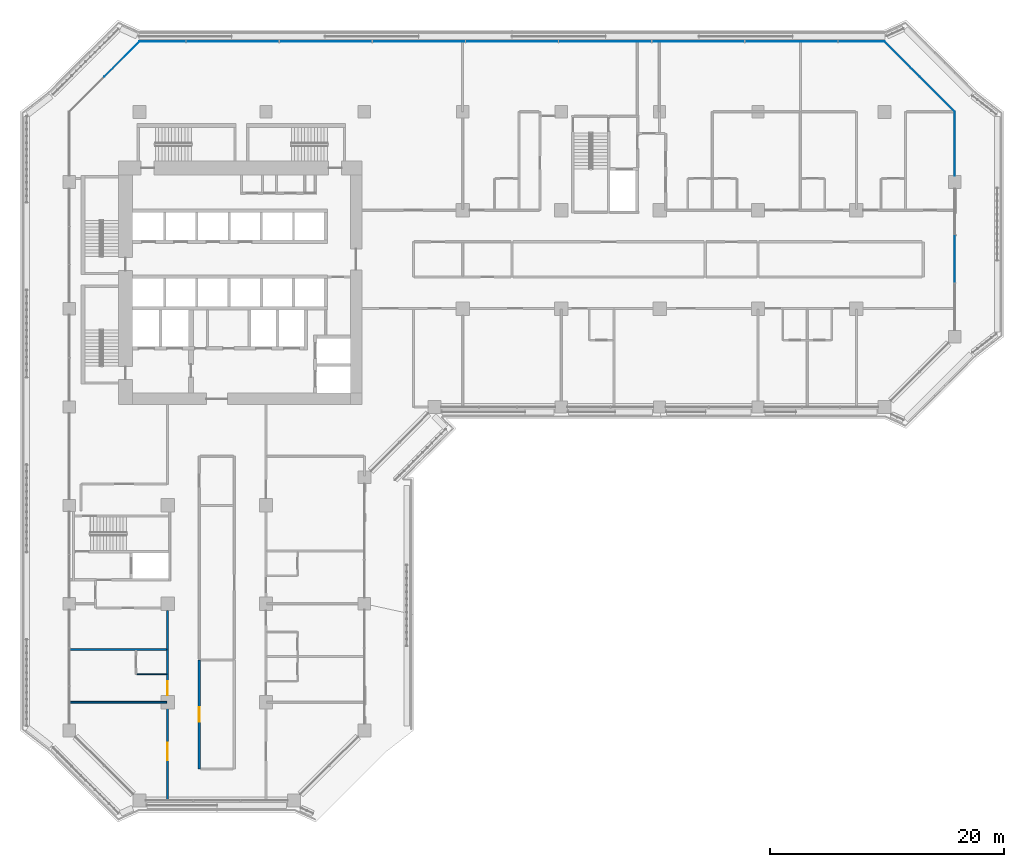
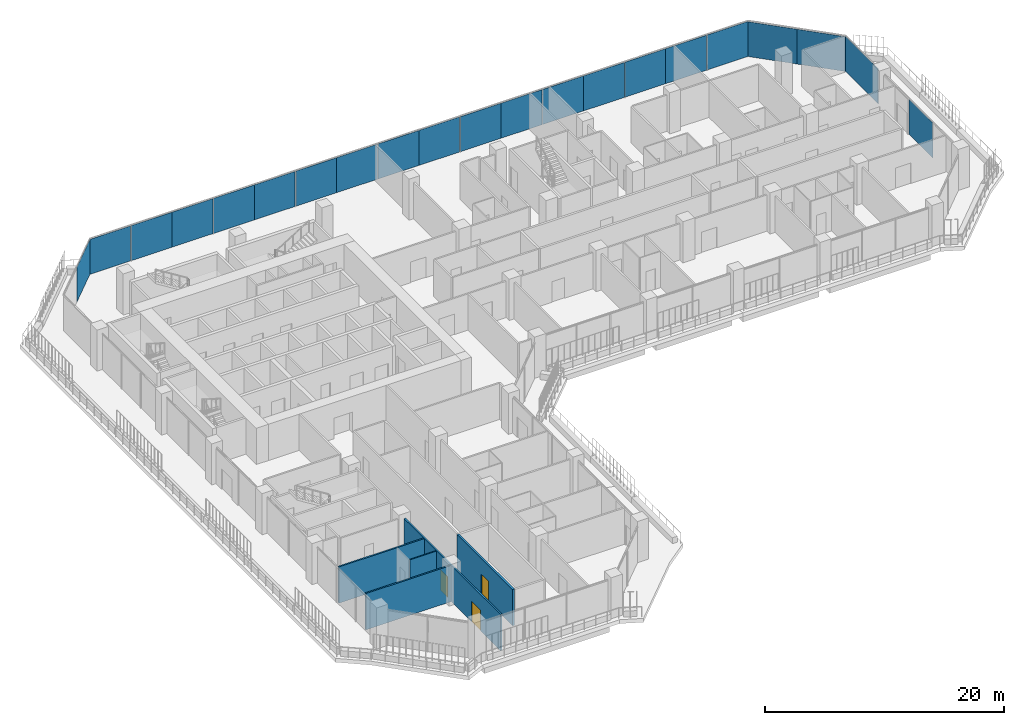
# One storey, part 10 of 23: 21 plates, 5 walls, 3 doors, 3 openings, 4 elements without a shape of their own.
"""IFC4 building model written with IfcOpenShell, lengths in metres."""

from ifc_helpers import new_model, si_unit, direction, frame, frame_2d, origin, origin_2d, place, context, subcontext, project, spatial, rectangle, extrude, material, layer, layer_set, type_object, element, fill, aggregate, save


model = new_model("IFC4")

# Units and contexts
model_context = context("Model", 3, precision=1e-05, world=origin(), true_north=direction((0.0, 1.0)))
body_context = subcontext(model_context, "Body", "Model", "MODEL_VIEW")
ifc_project = project(units=[si_unit("LENGTHUNIT", "METRE"), si_unit("AREAUNIT", "SQUARE_METRE"), si_unit("VOLUMEUNIT", "CUBIC_METRE"), si_unit("PLANEANGLEUNIT", "RADIAN"), si_unit("MASSUNIT", "GRAM", prefix="KILO")], contexts=[model_context])

# Site, building, storey
site_placement = place(None, origin())
site = spatial("IfcSite", under=ifc_project, at=site_placement, CompositionType="ELEMENT")
building_placement = place(site_placement, origin())
building = spatial("IfcBuilding", under=site, at=building_placement, Name="Kawkab Arch Medical Tower", CompositionType="ELEMENT")
storey_placement = place(building_placement, frame((0.0, 0.0, 149.199951171875)))
storey = spatial("IfcBuildingStorey", under=building, at=storey_placement, Name="L34", CompositionType="ELEMENT", Elevation=149.199951171875)

# Curtain wall, plates
ifc_material_1 = material(Name="Bronze anodised aluminium curtain wall frame", Category="aluminium")
ifc_layer_1 = layer(ifc_material_1, 0.159912109375)
ifc_layer_set_1 = layer_set([ifc_layer_1], Name="Bronze anodised aluminium curtain wall frame")
curtain_wall_type_1 = type_object("IfcCurtainWallType", Name="CW1 ward curtain wall", PredefinedType="NOTDEFINED", material=ifc_layer_set_1)
placement = place(storey_placement, origin())
curtain_wall_1 = element("IfcCurtainWall", 1, at=placement, inside=storey, type_object=curtain_wall_type_1, Name="CW1 Ward curtain wall R09", PredefinedType="NOTDEFINED")
ifc_material_2 = material(Name="Tinted insulating glass, bronze low-e coating", Category="glass")
ifc_layer_2 = layer(ifc_material_2, 0.031982421875)
ifc_layer_set_2 = layer_set([ifc_layer_2], Name="Tinted insulating glass, bronze low-e coating")
plate_type_1 = type_object("IfcPlateType", Name="CW1 glazing unit 32", PredefinedType="CURTAIN_PANEL", material=ifc_layer_set_2)
plate_1_placement = place(storey_placement, frame((75.60009765625, -12.5849609375, 0.0), z_axis=(0.0, 0.0, 1.0), x_axis=(0.0, 1.0, 0.0)))
plate_1 = element("IfcPlate", 2, at=plate_1_placement, type_object=plate_type_1, Name="CW1 glazing unit 1.2", PredefinedType="CURTAIN_PANEL", context=body_context, shape_type="SweptSolid", body=[
    extrude(rectangle(XDim=4.00341796875, YDim=0.031982421875, at=origin_2d()), origin(), (0.0, 0.0, 1.0), 3.580078125),
])
plate_2_placement = place(storey_placement, frame((75.60009765625, -2.72509765625, 0.0), z_axis=(0.0, 0.0, 1.0), x_axis=(0.0, 1.0, 0.0)))
plate_2 = element("IfcPlate", 3, at=plate_2_placement, type_object=plate_type_1, Name="CW1 glazing unit 2.1", PredefinedType="CURTAIN_PANEL", context=body_context, shape_type="SweptSolid", body=[
    extrude(rectangle(XDim=5.449951171875, YDim=0.031982421875, at=origin_2d()), origin(), (0.0, 0.0, 1.0), 3.580078125),
])
aggregate(curtain_wall_1, [plate_1, plate_2])

curtain_wall_2 = element("IfcCurtainWall", 4, at=placement, inside=storey, type_object=curtain_wall_type_1, Name="CW1 Ward curtain wall R11", PredefinedType="NOTDEFINED")
plate_3_placement = place(storey_placement, frame((67.62744140625, 6.0, 0.0), z_axis=(0.0, 0.0, 1.0), x_axis=(-1.0, 0.0, 0.0)))
plate_3 = element("IfcPlate", 5, at=plate_3_placement, type_object=plate_type_1, Name="CW1 glazing unit 1.1", PredefinedType="CURTAIN_PANEL", context=body_context, shape_type="SweptSolid", body=[
    extrude(rectangle(XDim=3.945068359375, YDim=0.031982421875, at=origin_2d()), origin(), (0.0, 0.0, 1.0), 3.580078125),
])
plate_4_placement = place(storey_placement, frame((63.62255859375, 6.0, 0.0), z_axis=(0.0, 0.0, 1.0), x_axis=(-1.0, 0.0, 0.0)))
plate_4 = element("IfcPlate", 6, at=plate_4_placement, type_object=plate_type_1, Name="CW1 glazing unit 1.2", PredefinedType="CURTAIN_PANEL", context=body_context, shape_type="SweptSolid", body=[
    extrude(rectangle(XDim=3.945068359375, YDim=0.031982421875, at=origin_2d()), origin(), (0.0, 0.0, 1.0), 3.580078125),
])
plate_5_placement = place(storey_placement, frame((59.677490234375, 6.0, 0.0), z_axis=(0.0, 0.0, 1.0), x_axis=(-1.0, 0.0, 0.0)))
plate_5 = element("IfcPlate", 7, at=plate_5_placement, type_object=plate_type_1, Name="CW1 glazing unit 2.1", PredefinedType="CURTAIN_PANEL", context=body_context, shape_type="SweptSolid", body=[
    extrude(rectangle(XDim=3.945068359375, YDim=0.031982421875, at=origin_2d()), origin(), (0.0, 0.0, 1.0), 3.580078125),
])
plate_6_placement = place(storey_placement, frame((55.672607421875, 6.0, 0.0), z_axis=(0.0, 0.0, 1.0), x_axis=(-1.0, 0.0, 0.0)))
plate_6 = element("IfcPlate", 8, at=plate_6_placement, type_object=plate_type_1, Name="CW1 glazing unit 2.2", PredefinedType="CURTAIN_PANEL", context=body_context, shape_type="SweptSolid", body=[
    extrude(rectangle(XDim=3.945068359375, YDim=0.031982421875, at=origin_2d()), origin(), (0.0, 0.0, 1.0), 3.580078125),
])
plate_7_placement = place(storey_placement, frame((51.7275390625, 6.0, 0.0), z_axis=(0.0, 0.0, 1.0), x_axis=(-1.0, 0.0, 0.0)))
plate_7 = element("IfcPlate", 9, at=plate_7_placement, type_object=plate_type_1, Name="CW1 glazing unit 3.1", PredefinedType="CURTAIN_PANEL", context=body_context, shape_type="SweptSolid", body=[
    extrude(rectangle(XDim=3.945068359375, YDim=0.031982421875, at=origin_2d()), origin(), (0.0, 0.0, 1.0), 3.580078125),
])
plate_8_placement = place(storey_placement, frame((47.722412109375, 6.0, 0.0), z_axis=(0.0, 0.0, 1.0), x_axis=(-1.0, 0.0, 0.0)))
plate_8 = element("IfcPlate", 10, at=plate_8_placement, type_object=plate_type_1, Name="CW1 glazing unit 3.2", PredefinedType="CURTAIN_PANEL", context=body_context, shape_type="SweptSolid", body=[
    extrude(rectangle(XDim=3.945068359375, YDim=0.031982421875, at=origin_2d()), origin(), (0.0, 0.0, 1.0), 3.580078125),
])
plate_9_placement = place(storey_placement, frame((43.777587890625, 6.0, 0.0), z_axis=(0.0, 0.0, 1.0), x_axis=(-1.0, 0.0, 0.0)))
plate_9 = element("IfcPlate", 11, at=plate_9_placement, type_object=plate_type_1, Name="CW1 glazing unit 4.1", PredefinedType="CURTAIN_PANEL", context=body_context, shape_type="SweptSolid", body=[
    extrude(rectangle(XDim=3.945068359375, YDim=0.031982421875, at=origin_2d()), origin(), (0.0, 0.0, 1.0), 3.580078125),
])
plate_10_placement = place(storey_placement, frame((39.7724609375, 6.0, 0.0), z_axis=(0.0, 0.0, 1.0), x_axis=(-1.0, 0.0, 0.0)))
plate_10 = element("IfcPlate", 12, at=plate_10_placement, type_object=plate_type_1, Name="CW1 glazing unit 4.2", PredefinedType="CURTAIN_PANEL", context=body_context, shape_type="SweptSolid", body=[
    extrude(rectangle(XDim=3.945068359375, YDim=0.031982421875, at=origin_2d()), origin(), (0.0, 0.0, 1.0), 3.580078125),
])
plate_11_placement = place(storey_placement, frame((35.827392578125, 6.0, 0.0), z_axis=(0.0, 0.0, 1.0), x_axis=(-1.0, 0.0, 0.0)))
plate_11 = element("IfcPlate", 13, at=plate_11_placement, type_object=plate_type_1, Name="CW1 glazing unit 5.1", PredefinedType="CURTAIN_PANEL", context=body_context, shape_type="SweptSolid", body=[
    extrude(rectangle(XDim=3.945068359375, YDim=0.031982421875, at=origin_2d()), origin(), (0.0, 0.0, 1.0), 3.580078125),
])
plate_12_placement = place(storey_placement, frame((31.822509765625, 6.0, 0.0), z_axis=(0.0, 0.0, 1.0), x_axis=(-1.0, 0.0, 0.0)))
plate_12 = element("IfcPlate", 14, at=plate_12_placement, type_object=plate_type_1, Name="CW1 glazing unit 5.2", PredefinedType="CURTAIN_PANEL", context=body_context, shape_type="SweptSolid", body=[
    extrude(rectangle(XDim=3.945068359375, YDim=0.031982421875, at=origin_2d()), origin(), (0.0, 0.0, 1.0), 3.580078125),
])
plate_13_placement = place(storey_placement, frame((27.87744140625, 6.0, 0.0), z_axis=(0.0, 0.0, 1.0), x_axis=(-1.0, 0.0, 0.0)))
plate_13 = element("IfcPlate", 15, at=plate_13_placement, type_object=plate_type_1, Name="CW1 glazing unit 6.1", PredefinedType="CURTAIN_PANEL", context=body_context, shape_type="SweptSolid", body=[
    extrude(rectangle(XDim=3.945068359375, YDim=0.031982421875, at=origin_2d()), origin(), (0.0, 0.0, 1.0), 3.580078125),
])
plate_14_placement = place(storey_placement, frame((23.87255859375, 6.0, 0.0), z_axis=(0.0, 0.0, 1.0), x_axis=(-1.0, 0.0, 0.0)))
plate_14 = element("IfcPlate", 16, at=plate_14_placement, type_object=plate_type_1, Name="CW1 glazing unit 6.2", PredefinedType="CURTAIN_PANEL", context=body_context, shape_type="SweptSolid", body=[
    extrude(rectangle(XDim=3.945068359375, YDim=0.031982421875, at=origin_2d()), origin(), (0.0, 0.0, 1.0), 3.580078125),
])
plate_15_placement = place(storey_placement, frame((19.927490234375, 6.0, 0.0), z_axis=(0.0, 0.0, 1.0), x_axis=(-1.0, 0.0, 0.0)))
plate_15 = element("IfcPlate", 17, at=plate_15_placement, type_object=plate_type_1, Name="CW1 glazing unit 7.1", PredefinedType="CURTAIN_PANEL", context=body_context, shape_type="SweptSolid", body=[
    extrude(rectangle(XDim=3.945068359375, YDim=0.031982421875, at=origin_2d()), origin(), (0.0, 0.0, 1.0), 3.580078125),
])
plate_16_placement = place(storey_placement, frame((15.922607421875, 6.0, 0.0), z_axis=(0.0, 0.0, 1.0), x_axis=(-1.0, 0.0, 0.0)))
plate_16 = element("IfcPlate", 18, at=plate_16_placement, type_object=plate_type_1, Name="CW1 glazing unit 7.2", PredefinedType="CURTAIN_PANEL", context=body_context, shape_type="SweptSolid", body=[
    extrude(rectangle(XDim=3.945068359375, YDim=0.031982421875, at=origin_2d()), origin(), (0.0, 0.0, 1.0), 3.580078125),
])
plate_17_placement = place(storey_placement, frame((11.9775390625, 6.0, 0.0), z_axis=(0.0, 0.0, 1.0), x_axis=(-1.0, 0.0, 0.0)))
plate_17 = element("IfcPlate", 19, at=plate_17_placement, type_object=plate_type_1, Name="CW1 glazing unit 8.1", PredefinedType="CURTAIN_PANEL", context=body_context, shape_type="SweptSolid", body=[
    extrude(rectangle(XDim=3.945068359375, YDim=0.031982421875, at=origin_2d()), origin(), (0.0, 0.0, 1.0), 3.580078125),
])
plate_18_placement = place(storey_placement, frame((7.972412109375, 6.0, 0.0), z_axis=(0.0, 0.0, 1.0), x_axis=(-1.0, 0.0, 0.0)))
plate_18 = element("IfcPlate", 20, at=plate_18_placement, type_object=plate_type_1, Name="CW1 glazing unit 8.2", PredefinedType="CURTAIN_PANEL", context=body_context, shape_type="SweptSolid", body=[
    extrude(rectangle(XDim=3.945068359375, YDim=0.031982421875, at=origin_2d()), origin(), (0.0, 0.0, 1.0), 3.580078125),
])
aggregate(curtain_wall_2, [plate_3, plate_4, plate_5, plate_6, plate_7, plate_8, plate_9, plate_10, plate_11, plate_12, plate_13, plate_14, plate_15, plate_16, plate_17, plate_18])

ifc_material_3 = material(Name="Bronze anodised aluminium curtain wall frame", Category="aluminium")
ifc_layer_3 = layer(ifc_material_3, 0.159912109375)
ifc_layer_set_3 = layer_set([ifc_layer_3], Name="Bronze anodised aluminium curtain wall frame")
curtain_wall_type_2 = type_object("IfcCurtainWallType", Name="CW2 chamfer curtain wall", PredefinedType="NOTDEFINED", material=ifc_layer_set_3)
curtain_wall_3 = element("IfcCurtainWall", 21, at=placement, inside=storey, type_object=curtain_wall_type_2, Name="CW2 Chamfer curtain wall R10", PredefinedType="NOTDEFINED")
ifc_material_4 = material(Name="Tinted insulating glass, bronze low-e coating", Category="glass")
ifc_layer_4 = layer(ifc_material_4, 0.031982421875)
ifc_layer_set_4 = layer_set([ifc_layer_4], Name="Tinted insulating glass, bronze low-e coating")
plate_type_2 = type_object("IfcPlateType", Name="CW2 glazing unit 32", PredefinedType="CURTAIN_PANEL", material=ifc_layer_set_4)
plate_19_placement = place(storey_placement, frame((74.10009765625, 1.5, 0.0), z_axis=(0.0, 0.0, 1.0), x_axis=(-0.707106781187, 0.707106781187, 0.0)))
plate_19 = element("IfcPlate", 22, at=plate_19_placement, type_object=plate_type_2, Name="CW2 glazing unit 1.1", PredefinedType="CURTAIN_PANEL", context=body_context, shape_type="SweptSolid", body=[
    extrude(rectangle(XDim=4.24267578125, YDim=0.031982421875, at=origin_2d()), origin(), (0.0, 0.0, 1.0), 3.56005859375),
])
plate_20_placement = place(storey_placement, frame((71.10009765625, 4.5, 0.0), z_axis=(0.0, 0.0, 1.0), x_axis=(-0.707106781187, 0.707106781187, 0.0)))
plate_20 = element("IfcPlate", 23, at=plate_20_placement, type_object=plate_type_2, Name="CW2 glazing unit 2.1", PredefinedType="CURTAIN_PANEL", context=body_context, shape_type="SweptSolid", body=[
    extrude(rectangle(XDim=4.24267578125, YDim=0.031982421875, at=origin_2d()), origin(), (0.0, 0.0, 1.0), 3.56005859375),
])
aggregate(curtain_wall_3, [plate_19, plate_20])

# Curtain wall, plate
curtain_wall_4 = element("IfcCurtainWall", 24, at=placement, inside=storey, type_object=curtain_wall_type_2, Name="CW2 Chamfer curtain wall R12", PredefinedType="NOTDEFINED")
plate_21_placement = place(storey_placement, frame((4.5, 4.5, 0.0), z_axis=(0.0, 0.0, 1.0), x_axis=(-0.707106781187, -0.707106781187, 0.0)))
plate_21 = element("IfcPlate", 25, at=plate_21_placement, type_object=plate_type_2, Name="CW2 glazing unit 1.1", PredefinedType="CURTAIN_PANEL", context=body_context, shape_type="SweptSolid", body=[
    extrude(rectangle(XDim=4.24267578125, YDim=0.031982421875, at=origin_2d()), origin(), (0.0, 0.0, 1.0), 3.56005859375),
])
aggregate(curtain_wall_4, [plate_21])

# Walls
ifc_material_5 = material(Name="Gypsum board partition on steel studs", Category="steel")
ifc_layer_5 = layer(ifc_material_5, 0.10009765625)
ifc_layer_set_5 = layer_set([ifc_layer_5], Name="Gypsum board partition on steel studs")
wall_type_1 = type_object("IfcWallType", Name="Partition 100", PredefinedType="PARTITIONING", material=ifc_layer_set_5)
wall_1_placement = place(storey_placement, frame((5.75, -48.0, 0.0), z_axis=(0.0, 0.0, 1.0), x_axis=(1.0, 0.0, 0.0)))
element("IfcWall", 26, at=wall_1_placement, inside=storey, type_object=wall_type_1, Name="Partition 100 w002", PredefinedType="PARTITIONING", context=body_context, shape_type="SweptSolid", body=[
    extrude(rectangle(XDim=2.574951171875, YDim=0.10009765625, at=frame_2d((1.28759765625, 0.0))), origin(), (0.0, 0.0, 1.0), 3.699951171875),
])
ifc_material_6 = material(Name="Gypsum board partition on steel studs, mineral wool", Category="steel")
ifc_layer_6 = layer(ifc_material_6, 0.14990234375)
ifc_layer_set_6 = layer_set([ifc_layer_6], Name="Gypsum board partition on steel studs, mineral wool")
wall_type_2 = type_object("IfcWallType", Name="Partition 150", PredefinedType="PARTITIONING", material=ifc_layer_set_6)
for number, where, z_axis, x_axis, name in (
    (27, (0.080078125, -50.39990234375, 0.0), (0.0, 0.0, 1.0), (1.0, 0.0, 0.0), "Partition 150 w022"),
    (28, (0.080078125, -45.89990234375, 0.0), (0.0, 0.0, 1.0), (1.0, 0.0, 0.0), "Partition 150 w025"),
):
    element("IfcWall", number, at=place(storey_placement, frame(where, z_axis=z_axis, x_axis=x_axis)), inside=storey, type_object=wall_type_2, Name=name, PredefinedType="PARTITIONING", context=body_context, shape_type="SweptSolid", body=[
        extrude(rectangle(XDim=8.244873046875, YDim=0.14990234375, at=frame_2d((4.12255859375, 0.0))), origin(), (0.0, 0.0, 1.0), 3.699951171875),
    ])

# Wall, openings, doors
wall_2_placement = place(storey_placement, frame((8.39990234375, -58.719970703125, 0.0), z_axis=(0.0, 0.0, 1.0), x_axis=(0.0, 1.0, 0.0)))
wall_2 = element("IfcWall", 29, at=wall_2_placement, inside=storey, type_object=wall_type_2, Name="Partition 150 w053", PredefinedType="PARTITIONING", context=body_context, shape_type="SweptSolid", body=[
    extrude(rectangle(XDim=16.14501953125, YDim=0.14990234375, at=frame_2d((8.072509765625, 0.0))), origin(), (0.0, 0.0, 1.0), 3.699951171875),
])
opening_1_placement = place(wall_2_placement, frame((8.919921875, 0.0, 0.0)))
opening_1 = element("IfcOpeningElement", 30, at=opening_1_placement, cuts=wall_2, Name="Opening W29-044", PredefinedType="OPENING", context=body_context, shape_type="SweptSolid", body=[
    extrude(rectangle(XDim=1.199951171875, YDim=2.10009765625, at=frame_2d((0.60009765625, 1.050048828125))), frame((0.0, 0.0849609375, 0.0), z_axis=(0.0, -1.0, 0.0), x_axis=(1.0, 0.0, 0.0)), (0.0, 0.0, 1.0), 0.169921875),
])
opening_2_placement = place(wall_2_placement, frame((3.3701171875, 0.0, 0.0)))
opening_2 = element("IfcOpeningElement", 31, at=opening_2_placement, cuts=wall_2, Name="Opening W29-006", PredefinedType="OPENING", context=body_context, shape_type="SweptSolid", body=[
    extrude(rectangle(XDim=1.5, YDim=2.10009765625, at=frame_2d((0.75, 1.050048828125))), frame((0.0, 0.0849609375, 0.0), z_axis=(0.0, -1.0, 0.0), x_axis=(1.0, 0.0, 0.0)), (0.0, 0.0, 1.0), 0.169921875),
])
ifc_material_7 = material(Name="Hollow metal door leaf")
door_type_1 = type_object("IfcDoorType", Name="Double door 1500x2100 FD30S", OperationType="NOTDEFINED", PredefinedType="DOOR", material=ifc_material_7)
door_1_placement = place(opening_2_placement, origin())
door_1 = element("IfcDoor", 32, at=door_1_placement, inside=storey, type_object=door_type_1, Name="Door W29-006", OperationType="DOUBLE_DOOR_SINGLE_SWING", OverallHeight=2.10009765625, OverallWidth=1.5, PredefinedType="DOOR", context=body_context, shape_type="SweptSolid", body=[
    extrude(rectangle(XDim=1.5, YDim=2.10009765625, at=frame_2d((0.75, 1.050048828125))), frame((0.0, 0.02490234375, 0.0), z_axis=(0.0, -1.0, 0.0), x_axis=(1.0, 0.0, 0.0)), (0.0, 0.0, 1.0), 0.050048828125),
])
fill(opening_2, door_1)
ifc_material_8 = material(Name="Hollow metal door leaf")
door_type_2 = type_object("IfcDoorType", Name="Single door 1200x2100 FD30S", OperationType="NOTDEFINED", PredefinedType="DOOR", material=ifc_material_8)
door_2_placement = place(opening_1_placement, origin())
door_2 = element("IfcDoor", 33, at=door_2_placement, inside=storey, type_object=door_type_2, Name="Door W29-044", OperationType="SINGLE_SWING_RIGHT", OverallHeight=2.10009765625, OverallWidth=1.199951171875, PredefinedType="DOOR", context=body_context, shape_type="SweptSolid", body=[
    extrude(rectangle(XDim=1.199951171875, YDim=2.10009765625, at=frame_2d((0.60009765625, 1.050048828125))), frame((0.0, 0.02490234375, 0.0), z_axis=(0.0, -1.0, 0.0), x_axis=(1.0, 0.0, 0.0)), (0.0, 0.0, 1.0), 0.050048828125),
])
fill(opening_1, door_2)

# Wall, opening, door
ifc_material_9 = material(Name="Fire-rated gypsum board partition on steel studs", Category="steel")
ifc_layer_7 = layer(ifc_material_9, 0.199951171875)
ifc_layer_set_7 = layer_set([ifc_layer_7], Name="Fire-rated gypsum board partition on steel studs")
wall_type_3 = type_object("IfcWallType", Name="Protected partition 200", PredefinedType="PARTITIONING", material=ifc_layer_set_7)
wall_3_placement = place(storey_placement, frame((11.10009765625, -56.10009765625, 0.0), z_axis=(0.0, 0.0, 1.0), x_axis=(0.0, 1.0, 0.0)))
wall_3 = element("IfcWall", 34, at=wall_3_placement, inside=storey, type_object=wall_type_3, Name="Protected partition 200 w088", PredefinedType="PARTITIONING", context=body_context, shape_type="SweptSolid", body=[
    extrude(rectangle(XDim=9.300048828125, YDim=0.199951171875, at=frame_2d((4.64990234375, 0.0))), origin(), (0.0, 0.0, 1.0), 3.699951171875),
])
opening_3_placement = place(wall_3_placement, frame((4.050048828125, 0.0, 0.0)))
opening_3 = element("IfcOpeningElement", 35, at=opening_3_placement, cuts=wall_3, Name="Opening W29-050", PredefinedType="OPENING", context=body_context, shape_type="SweptSolid", body=[
    extrude(rectangle(XDim=1.199951171875, YDim=2.10009765625, at=frame_2d((0.60009765625, 1.050048828125))), frame((0.0, 0.10986328125, 0.0), z_axis=(0.0, -1.0, 0.0), x_axis=(1.0, 0.0, 0.0)), (0.0, 0.0, 1.0), 0.219970703125),
])
ifc_material_10 = material(Name="Hollow metal door leaf")
door_type_3 = type_object("IfcDoorType", Name="Single door 1200x2100 FD60", OperationType="NOTDEFINED", PredefinedType="DOOR", material=ifc_material_10)
door_3_placement = place(opening_3_placement, origin())
door_3 = element("IfcDoor", 36, at=door_3_placement, inside=storey, type_object=door_type_3, Name="Door W29-050", OperationType="SINGLE_SWING_RIGHT", OverallHeight=2.10009765625, OverallWidth=1.199951171875, PredefinedType="DOOR", context=body_context, shape_type="SweptSolid", body=[
    extrude(rectangle(XDim=1.199951171875, YDim=2.10009765625, at=frame_2d((0.60009765625, 1.050048828125))), frame((0.0, 0.02490234375, 0.0), z_axis=(0.0, -1.0, 0.0), x_axis=(1.0, 0.0, 0.0)), (0.0, 0.0, 1.0), 0.050048828125),
])
fill(opening_3, door_3)

save(model, "model.ifc")
